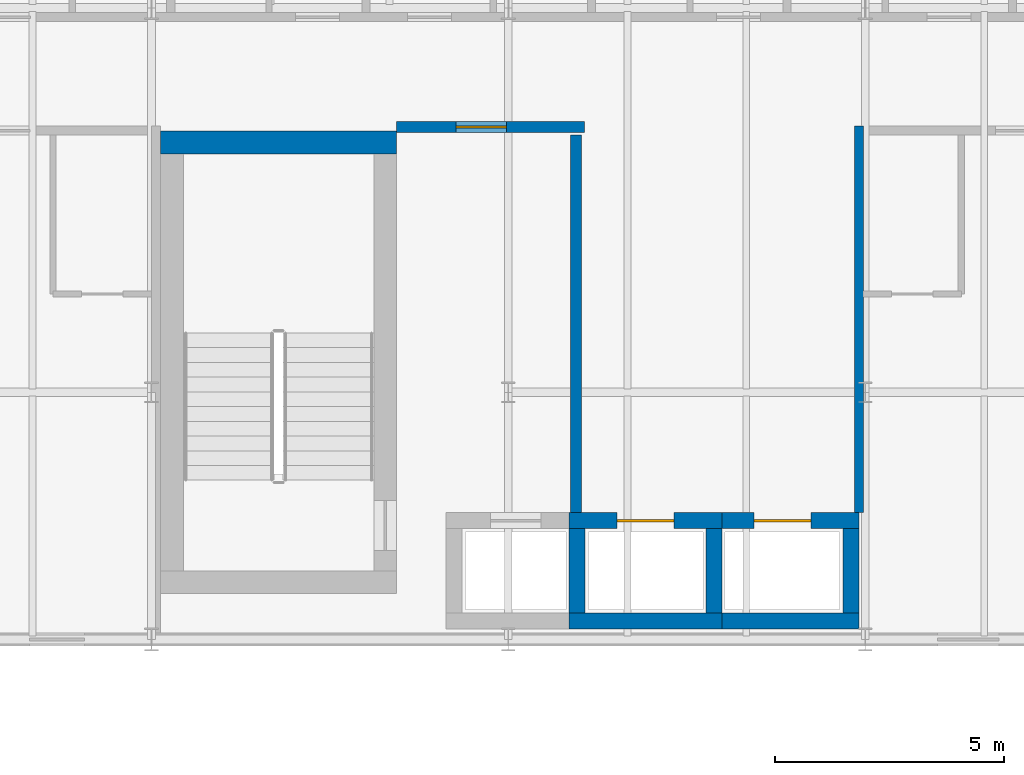
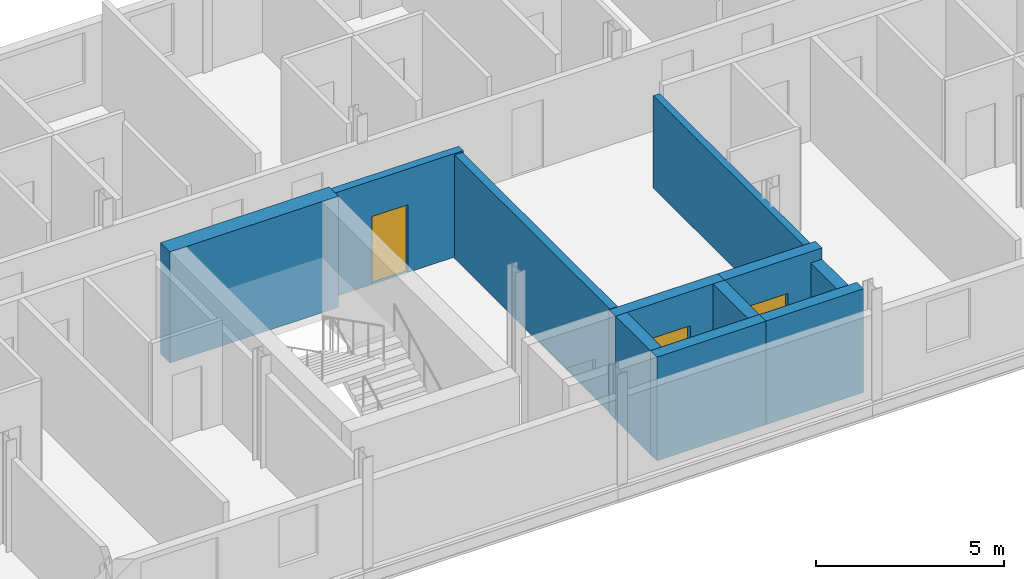
# One storey, part 25 of 34: 11 walls, 3 doors, 3 openings.
"""IFC4 building model written with IfcOpenShell, lengths in metres."""

from ifc_helpers import new_model, si_unit, direction, frame, frame_2d, origin, place, context, subcontext, project, spatial, rectangle, extrude, material, layer, layer_set, type_object, element, fill, save


model = new_model("IFC4")

# Units and contexts
model_context = context("Model", 3, precision=1e-05, world=origin(), true_north=direction((0.0, 1.0)))
body_context = subcontext(model_context, "Body", "Model", "MODEL_VIEW")
ifc_project = project(units=[si_unit("LENGTHUNIT", "METRE"), si_unit("AREAUNIT", "SQUARE_METRE"), si_unit("VOLUMEUNIT", "CUBIC_METRE"), si_unit("PLANEANGLEUNIT", "RADIAN"), si_unit("MASSUNIT", "GRAM", prefix="KILO")], contexts=[model_context])

# Site, building, storey
site_placement = place(None, origin())
site = spatial("IfcSite", under=ifc_project, at=site_placement, CompositionType="ELEMENT")
building_placement = place(site_placement, origin())
building = spatial("IfcBuilding", under=site, at=building_placement, Name="Sefraquen Railside Congress Hotel", CompositionType="ELEMENT")
storey_placement = place(building_placement, frame((0.0, 0.0, 31.800048828125)))
storey = spatial("IfcBuildingStorey", under=building, at=storey_placement, Name="L07", CompositionType="ELEMENT", Elevation=31.800048828125)

# Wall, opening, door
ifc_material_1 = material(Name="Concrete C50/60", Category="concrete")
ifc_layer_1 = layer(ifc_material_1, 0.35009765625)
ifc_layer_set_1 = layer_set([ifc_layer_1], Name="Concrete C50/60")
wall_type_1 = type_object("IfcWallType", Name="TW-CW-350", PredefinedType="SHEAR", material=ifc_layer_set_1)
wall_1_placement = place(storey_placement, frame((73.330078125, 98.594970703125, 0.0), z_axis=(0.0, 0.0, 1.0), x_axis=(1.0, 0.0, 0.0)))
wall_1 = element("IfcWall", 1, at=wall_1_placement, inside=storey, type_object=wall_type_1, Name="Lift PL-05 shaft wall N L07", PredefinedType="SHEAR", context=body_context, shape_type="SweptSolid", body=[
    extrude(rectangle(XDim=3.33984375, YDim=0.35009765625, at=frame_2d((1.669921875, 0.0))), origin(), (0.0, 0.0, 1.0), 3.35986328125),
])
opening_1_placement = place(wall_1_placement, frame((1.044921875, 0.0, 0.0)))
opening_1 = element("IfcOpeningElement", 2, at=opening_1_placement, cuts=wall_1, Name="Opening LD-02", PredefinedType="OPENING", context=body_context, shape_type="SweptSolid", body=[
    extrude(rectangle(XDim=1.25, YDim=2.25, at=frame_2d((0.625, 1.125))), frame((0.0, 0.18505859375, 0.0), z_axis=(0.0, -1.0, 0.0), x_axis=(1.0, 0.0, 0.0)), (0.0, 0.0, 1.0), 0.3701171875),
])
ifc_material_2 = material(Name="Brushed stainless steel", Category="steel")
door_type_1 = type_object("IfcDoorType", Name="TD-LD-02", OperationType="NOTDEFINED", PredefinedType="DOOR", material=ifc_material_2)
door_1_placement = place(opening_1_placement, origin())
door_1 = element("IfcDoor", 3, at=door_1_placement, inside=storey, type_object=door_type_1, Name="Lift landing door PL-05 L07", OperationType="SLIDING_TO_LEFT", OverallHeight=2.25, OverallWidth=1.25, PredefinedType="DOOR", context=body_context, shape_type="SweptSolid", body=[
    extrude(rectangle(XDim=1.25, YDim=2.25, at=frame_2d((0.625, 1.125))), frame((0.0, 0.02490234375, 0.0), z_axis=(0.0, -1.0, 0.0), x_axis=(1.0, 0.0, 0.0)), (0.0, 0.0, 1.0), 0.050048828125),
])
fill(opening_1, door_1)

# Walls
wall_2_placement = place(storey_placement, frame((73.330078125, 96.405029296875, 0.0), z_axis=(0.0, 0.0, 1.0), x_axis=(1.0, 0.0, 0.0)))
element("IfcWall", 4, at=wall_2_placement, inside=storey, type_object=wall_type_1, Name="Lift PL-05 shaft wall S L07", PredefinedType="SHEAR", context=body_context, shape_type="SweptSolid", body=[
    extrude(rectangle(XDim=3.33984375, YDim=0.35009765625, at=frame_2d((1.669921875, 0.0))), origin(), (0.0, 0.0, 1.0), 3.35986328125),
])
for number, where, z_axis, x_axis, name in (
    (5, (73.5048828125, 96.580078125, 0.0), (0.0, 0.0, 1.0), (0.0, 1.0, 0.0), "Lift PL-05 shaft wall W L07"),
    (6, (76.4951171875, 96.580078125, 0.0), (0.0, 0.0, 1.0), (0.0, 1.0, 0.0), "Lift PL-05 shaft wall E L07"),
):
    element("IfcWall", number, at=place(storey_placement, frame(where, z_axis=z_axis, x_axis=x_axis)), inside=storey, type_object=wall_type_1, Name=name, PredefinedType="SHEAR", context=body_context, shape_type="SweptSolid", body=[
        extrude(rectangle(XDim=1.83984375, YDim=0.35009765625, at=frame_2d((0.919921875, 0.0))), origin(), (0.0, 0.0, 1.0), 3.35986328125),
    ])

# Wall, opening, door
wall_3_placement = place(storey_placement, frame((76.669921875, 98.594970703125, 0.0), z_axis=(0.0, 0.0, 1.0), x_axis=(1.0, 0.0, 0.0)))
wall_3 = element("IfcWall", 7, at=wall_3_placement, inside=storey, type_object=wall_type_1, Name="Lift PL-06 shaft wall N L07", PredefinedType="SHEAR", context=body_context, shape_type="SweptSolid", body=[
    extrude(rectangle(XDim=2.989990234375, YDim=0.35009765625, at=frame_2d((1.4951171875, 0.0))), origin(), (0.0, 0.0, 1.0), 3.35986328125),
])
opening_2_placement = place(wall_3_placement, frame((0.695068359375, 0.0, 0.0)))
opening_2 = element("IfcOpeningElement", 8, at=opening_2_placement, cuts=wall_3, Name="Opening LD-02", PredefinedType="OPENING", context=body_context, shape_type="SweptSolid", body=[
    extrude(rectangle(XDim=1.25, YDim=2.25, at=frame_2d((0.625, 1.125))), frame((0.0, 0.18505859375, 0.0), z_axis=(0.0, -1.0, 0.0), x_axis=(1.0, 0.0, 0.0)), (0.0, 0.0, 1.0), 0.3701171875),
])
door_2_placement = place(opening_2_placement, origin())
door_2 = element("IfcDoor", 9, at=door_2_placement, inside=storey, type_object=door_type_1, Name="Lift landing door PL-06 L07", OperationType="SLIDING_TO_LEFT", OverallHeight=2.25, OverallWidth=1.25, PredefinedType="DOOR", context=body_context, shape_type="SweptSolid", body=[
    extrude(rectangle(XDim=1.25, YDim=2.25, at=frame_2d((0.625, 1.125))), frame((0.0, 0.02490234375, 0.0), z_axis=(0.0, -1.0, 0.0), x_axis=(1.0, 0.0, 0.0)), (0.0, 0.0, 1.0), 0.050048828125),
])
fill(opening_2, door_2)

# Walls
wall_4_placement = place(storey_placement, frame((76.669921875, 96.405029296875, 0.0), z_axis=(0.0, 0.0, 1.0), x_axis=(1.0, 0.0, 0.0)))
element("IfcWall", 10, at=wall_4_placement, inside=storey, type_object=wall_type_1, Name="Lift PL-06 shaft wall S L07", PredefinedType="SHEAR", context=body_context, shape_type="SweptSolid", body=[
    extrude(rectangle(XDim=2.989990234375, YDim=0.35009765625, at=frame_2d((1.4951171875, 0.0))), origin(), (0.0, 0.0, 1.0), 3.35986328125),
])
wall_5_placement = place(storey_placement, frame((79.485107421875, 96.580078125, 0.0), z_axis=(0.0, 0.0, 1.0), x_axis=(0.0, 1.0, 0.0)))
element("IfcWall", 11, at=wall_5_placement, inside=storey, type_object=wall_type_1, Name="Lift PL-06 shaft wall E L07", PredefinedType="SHEAR", context=body_context, shape_type="SweptSolid", body=[
    extrude(rectangle(XDim=1.83984375, YDim=0.35009765625, at=frame_2d((0.919921875, 0.0))), origin(), (0.0, 0.0, 1.0), 2.989990234375),
])
ifc_layer_2 = layer(ifc_material_1, 0.5)
ifc_layer_set_2 = layer_set([ifc_layer_2], Name="Concrete C50/60")
wall_type_2 = type_object("IfcWallType", Name="TW-CW-500", PredefinedType="SHEAR", material=ifc_layer_set_2)
wall_6_placement = place(storey_placement, frame((64.39990234375, 106.862060546875, 0.0), z_axis=(0.0, 0.0, 1.0), x_axis=(1.0, 0.0, 0.0)))
element("IfcWall", 12, at=wall_6_placement, inside=storey, type_object=wall_type_2, Name="Core shear wall ST-H03 N L07", PredefinedType="SHEAR", context=body_context, shape_type="SweptSolid", body=[
    extrude(rectangle(XDim=5.16015625, YDim=0.5, at=frame_2d((2.580078125, 0.0))), origin(), (0.0, 0.0, 1.0), 3.599853515625),
])
ifc_material_3 = material(Name="Concrete C40/50", Category="concrete")
ifc_layer_3 = layer(ifc_material_3, 0.239990234375)
ifc_layer_set_3 = layer_set([ifc_layer_3], Name="Concrete C40/50")
wall_type_3 = type_object("IfcWallType", Name="TW-FW-240", PredefinedType="STANDARD", material=ifc_layer_set_3)
wall_7_placement = place(storey_placement, frame((73.47998046875, 98.780029296875, 0.0), z_axis=(0.0, 0.0, 1.0), x_axis=(0.0, 1.0, 0.0)))
element("IfcWall", 13, at=wall_7_placement, inside=storey, type_object=wall_type_3, Name="Firefighting Lift Lobby FFL-03 east fire wall L07", PredefinedType="STANDARD", context=body_context, shape_type="SweptSolid", body=[
    extrude(rectangle(XDim=8.239990234375, YDim=0.239990234375, at=frame_2d((4.1201171875, 0.0))), origin(), (0.0, 0.0, 1.0), 3.35986328125),
])

# Wall, opening, door
wall_8_placement = place(storey_placement, frame((69.56005859375, 107.199951171875, 0.0), z_axis=(0.0, 0.0, 1.0), x_axis=(1.0, 0.0, 0.0)))
wall_8 = element("IfcWall", 14, at=wall_8_placement, inside=storey, type_object=wall_type_3, Name="Firefighting Lift Lobby FFL-03 EI 120 separation wall L07", PredefinedType="STANDARD", context=body_context, shape_type="SweptSolid", body=[
    extrude(rectangle(XDim=4.099853515625, YDim=0.239990234375, at=frame_2d((2.0498046875, 0.0))), origin(), (0.0, 0.0, 1.0), 3.35986328125),
])
opening_3_placement = place(wall_8_placement, frame((1.300048828125, 0.0, 0.0)))
opening_3 = element("IfcOpeningElement", 15, at=opening_3_placement, cuts=wall_8, Name="Opening FD-04", PredefinedType="OPENING", context=body_context, shape_type="SweptSolid", body=[
    extrude(rectangle(XDim=1.10009765625, YDim=2.199951171875, at=frame_2d((0.550048828125, 1.10009765625))), frame((0.0, 0.1298828125, 0.0), z_axis=(0.0, -1.0, 0.0), x_axis=(1.0, 0.0, 0.0)), (0.0, 0.0, 1.0), 0.260009765625),
])
ifc_material_4 = material(Name="Fire-rated steel", Category="steel")
door_type_2 = type_object("IfcDoorType", Name="TD-FD-04", OperationType="NOTDEFINED", PredefinedType="DOOR", material=ifc_material_4)
door_3_placement = place(opening_3_placement, origin())
door_3 = element("IfcDoor", 16, at=door_3_placement, inside=storey, type_object=door_type_2, Name="Firefighting Lift Lobby FFL-03 self-closing fire door L07", OperationType="SINGLE_SWING_LEFT", OverallHeight=2.199951171875, OverallWidth=1.10009765625, PredefinedType="DOOR", context=body_context, shape_type="SweptSolid", body=[
    extrude(rectangle(XDim=1.10009765625, YDim=2.199951171875, at=frame_2d((0.550048828125, 1.10009765625))), frame((0.0, 0.02490234375, 0.0), z_axis=(0.0, -1.0, 0.0), x_axis=(1.0, 0.0, 0.0)), (0.0, 0.0, 1.0), 0.050048828125),
])
fill(opening_3, door_3)

# Wall
ifc_material_5 = material(Name="Acoustic gypsum board on metal stud", Category="gypsum")
ifc_layer_4 = layer(ifc_material_5, 0.199951171875)
ifc_layer_set_4 = layer_set([ifc_layer_4], Name="Acoustic gypsum board on metal stud")
wall_type_4 = type_object("IfcWallType", Name="TW-PW-200", PredefinedType="PARTITIONING", material=ifc_layer_set_4)
wall_9_placement = place(storey_placement, frame((79.659912109375, 98.77001953125, 0.0), z_axis=(0.0, 0.0, 1.0), x_axis=(0.0, 1.0, 0.0)))
element("IfcWall", 17, at=wall_9_placement, inside=storey, type_object=wall_type_4, Name="Hotel L07 south-east west end fire-rated partition", PredefinedType="PARTITIONING", context=body_context, shape_type="SweptSolid", body=[
    extrude(rectangle(XDim=8.449951171875, YDim=0.199951171875, at=frame_2d((4.22509765625, 0.0))), origin(), (0.0, 0.0, 1.0), 2.989990234375),
])

save(model, "model.ifc")
